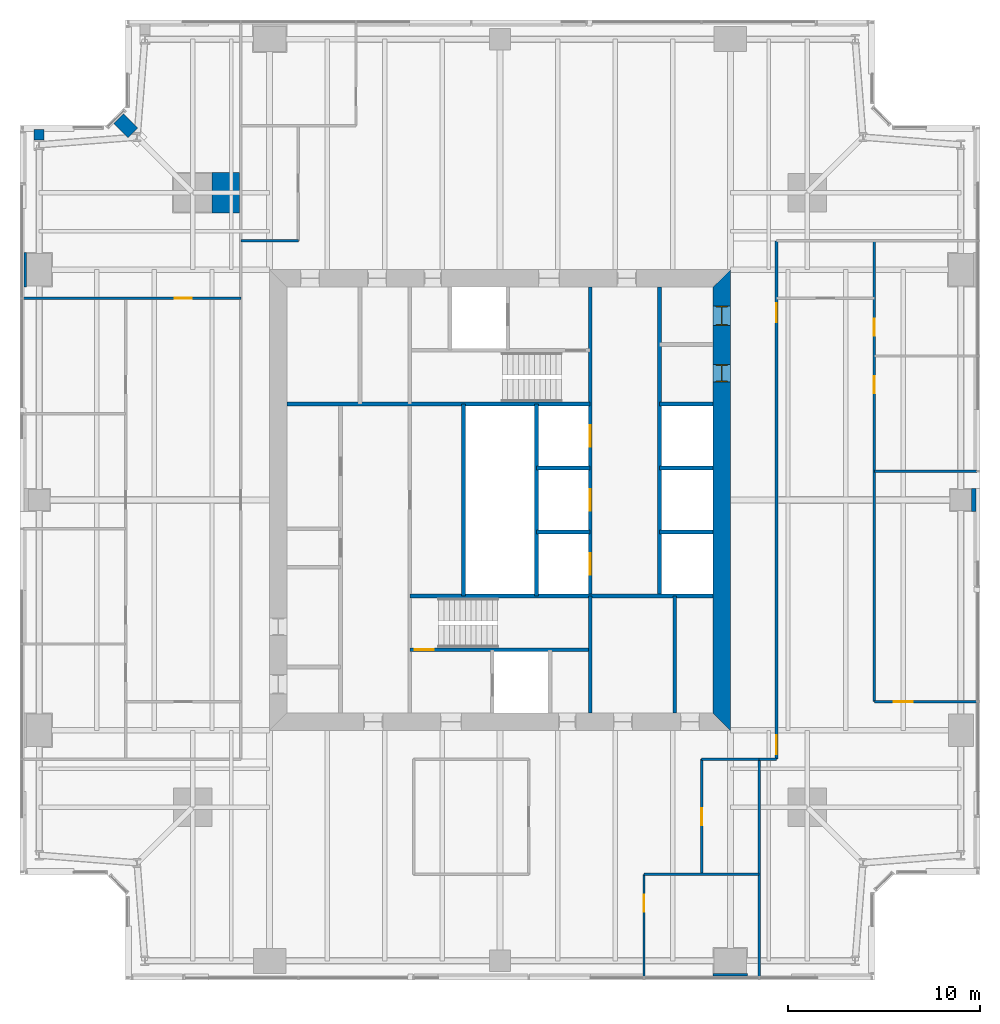
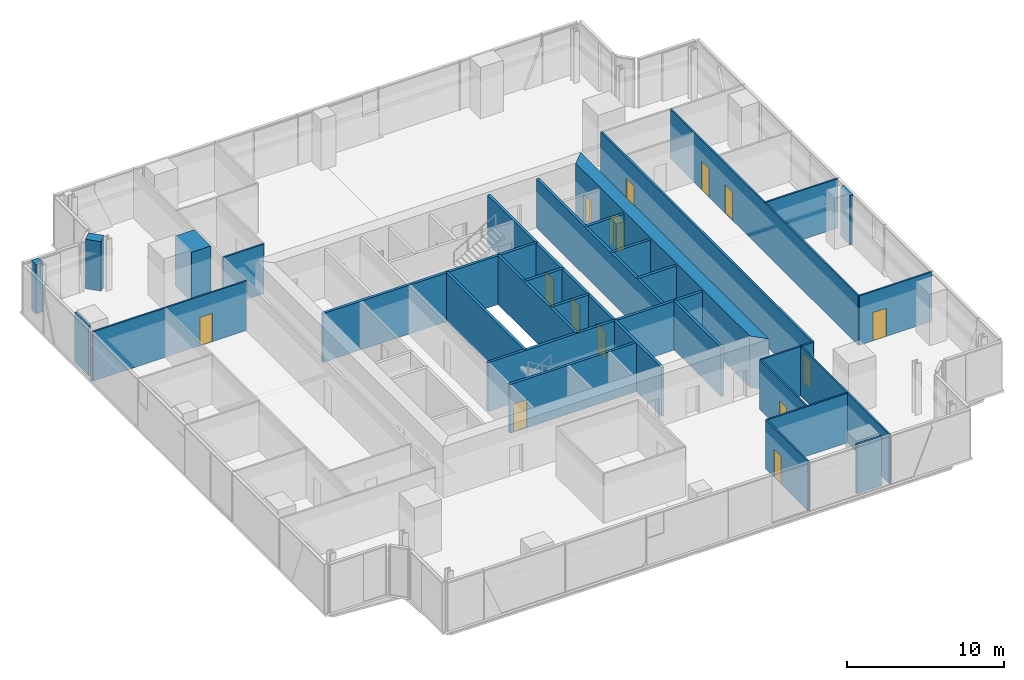
# One storey, part 10 of 16: 33 walls, 14 doors, 14 openings.
"""IFC4 building model written with IfcOpenShell, lengths in metres."""

from ifc_helpers import new_model, si_unit, direction, frame, frame_2d, origin, place, context, subcontext, project, spatial, polyline, rectangle, outline, extrude, material, layer, layer_set, type_object, element, fill, save


model = new_model("IFC4")

# Units and contexts
model_context = context("Model", 3, precision=1e-05, world=origin(), true_north=direction((0.0, 1.0)))
body_context = subcontext(model_context, "Body", "Model", "MODEL_VIEW")
ifc_project = project(units=[si_unit("LENGTHUNIT", "METRE"), si_unit("AREAUNIT", "SQUARE_METRE"), si_unit("VOLUMEUNIT", "CUBIC_METRE"), si_unit("PLANEANGLEUNIT", "RADIAN"), si_unit("MASSUNIT", "GRAM", prefix="KILO")], contexts=[model_context])

# Site, building, storey
site_placement = place(None, origin())
site = spatial("IfcSite", under=ifc_project, at=site_placement, CompositionType="ELEMENT")
building_placement = place(site_placement, origin())
building = spatial("IfcBuilding", under=site, at=building_placement, Name="Fenwick Lantern Interchange", CompositionType="ELEMENT")
storey_placement = place(building_placement, frame((0.0, 0.0, 213.800048828125)))
storey = spatial("IfcBuildingStorey", under=building, at=storey_placement, Name="L50", CompositionType="ELEMENT", Elevation=213.800048828125)

# Walls
ifc_material_1 = material(Name="Fire-rated gypsum board encasement on steel studs, 2 hour", Category="steel")
ifc_layer_1 = layer(ifc_material_1, 1.199951171875)
ifc_layer_set_1 = layer_set([ifc_layer_1], Name="COLUMN PIER 1200")
wall_type_1 = type_object("IfcWallType", Name="COLUMN PIER 1200", PredefinedType="PARTITIONING", material=ifc_layer_set_1)
wall_1_placement = place(storey_placement, frame((49.800048828125, 25.0, 0.0), z_axis=(0.0, 0.0, 1.0), x_axis=(-1.0, 0.0, 0.0)))
element("IfcWall", 1, at=wall_1_placement, inside=storey, type_object=wall_type_1, Name="L50/W/PIER/CE3", PredefinedType="PARTITIONING", context=body_context, shape_type="SweptSolid", body=[
    extrude(rectangle(XDim=0.25, YDim=1.199951171875, at=frame_2d((0.125, 0.0))), origin(), (0.0, 0.0, 1.0), 3.849853515625),
])
ifc_layer_2 = layer(ifc_material_1, 1.800048828125)
ifc_layer_set_2 = layer_set([ifc_layer_2], Name="COLUMN PIER 1800")
wall_type_2 = type_object("IfcWallType", Name="COLUMN PIER 1800", PredefinedType="PARTITIONING", material=ifc_layer_set_2)
for number, where, z_axis, x_axis, name in (
    (2, (37.0, 0.199951171875, 0.0), (0.0, 0.0, 1.0), (0.0, 1.0, 0.0), "L50/W/PIER/CS4"),
    (3, (0.199951171875, 37.0, 0.0), (0.0, 0.0, 1.0), (1.0, 0.0, 0.0), "L50/W/PIER/CW2"),
):
    element("IfcWall", number, at=place(storey_placement, frame(where, z_axis=z_axis, x_axis=x_axis)), inside=storey, type_object=wall_type_2, Name=name, PredefinedType="PARTITIONING", context=body_context, shape_type="SweptSolid", body=[
        extrude(rectangle(XDim=0.150146484375, YDim=1.800048828125, at=frame_2d((0.0751953125, 0.0))), origin(), (0.0, 0.0, 1.0), 3.849853515625),
    ])
ifc_layer_3 = layer(ifc_material_1, 2.10009765625)
ifc_layer_set_3 = layer_set([ifc_layer_3], Name="COLUMN PIER 2100")
wall_type_3 = type_object("IfcWallType", Name="COLUMN PIER 2100", PredefinedType="PARTITIONING", material=ifc_layer_set_3)
wall_2_placement = place(storey_placement, frame((11.4375, 41.0, 0.0), z_axis=(0.0, 0.0, 1.0), x_axis=(-1.0, 0.0, 0.0)))
element("IfcWall", 4, at=wall_2_placement, inside=storey, type_object=wall_type_3, Name="L50/W/PIER/M4", PredefinedType="PARTITIONING", context=body_context, shape_type="SweptSolid", body=[
    extrude(rectangle(XDim=1.4375, YDim=2.10009765625, at=frame_2d((0.71875, 0.0))), origin(), (0.0, 0.0, 1.0), 3.849853515625),
])
ifc_layer_4 = layer(ifc_material_1, 0.52392578125)
ifc_layer_set_4 = layer_set([ifc_layer_4], Name="COLUMN PIER 524")
wall_type_4 = type_object("IfcWallType", Name="COLUMN PIER 524", PredefinedType="PARTITIONING", material=ifc_layer_set_4)
wall_3_placement = place(storey_placement, frame((1.0, 44.300048828125, 0.0), z_axis=(0.0, 0.0, 1.0), x_axis=(0.0, -1.0, 0.0)))
element("IfcWall", 5, at=wall_3_placement, inside=storey, type_object=wall_type_4, Name="L50/W/PIER/CW1", PredefinedType="PARTITIONING", context=body_context, shape_type="SweptSolid", body=[
    extrude(rectangle(XDim=0.5625, YDim=0.52392578125, at=frame_2d((0.28125, 0.0))), origin(), (0.0, 0.0, 1.0), 3.849853515625),
])
ifc_layer_5 = layer(ifc_material_1, 0.736083984375)
ifc_layer_set_5 = layer_set([ifc_layer_5], Name="COLUMN PIER 736")
wall_type_5 = type_object("IfcWallType", Name="COLUMN PIER 736", PredefinedType="PARTITIONING", material=ifc_layer_set_5)
wall_4_placement = place(storey_placement, frame((5.141357421875, 44.858642578125, 0.0), z_axis=(0.0, 0.0, 1.0), x_axis=(0.707106781187, -0.707106781187, 0.0)))
element("IfcWall", 6, at=wall_4_placement, inside=storey, type_object=wall_type_5, Name="L50/W/PIER/CNR", PredefinedType="PARTITIONING", context=body_context, shape_type="SweptSolid", body=[
    extrude(rectangle(XDim=1.037841796875, YDim=0.736083984375, at=frame_2d((0.51904296875, 0.0))), origin(), (0.0, 0.0, 1.0), 3.849853515625),
])
ifc_material_2 = material(Name="Concrete masonry ASTM C90 Grade N", Category="masonry")
ifc_layer_6 = layer(ifc_material_2, 0.199951171875)
ifc_layer_set_6 = layer_set([ifc_layer_6], Name="Concrete masonry ASTM C90 Grade N")
wall_type_6 = type_object("IfcWallType", Name="CORE PARTITION 200", PredefinedType="PARTITIONING", material=ifc_layer_set_6)
wall_5_placement = place(storey_placement, frame((23.10009765625, 20.0, 0.0), z_axis=(0.0, 0.0, 1.0), x_axis=(0.0, 1.0, 0.0)))
element("IfcWall", 7, at=wall_5_placement, inside=storey, type_object=wall_type_6, Name="L50/W/CORES/e3", PredefinedType="PARTITIONING", context=body_context, shape_type="SweptSolid", body=[
    extrude(rectangle(XDim=10.0, YDim=0.199951171875, at=frame_2d((5.0, 0.0))), origin(), (0.0, 0.0, 1.0), 3.800048828125),
])
wall_6_placement = place(storey_placement, frame((34.10009765625, 13.89990234375, 0.0), z_axis=(0.0, 0.0, 1.0), x_axis=(0.0, 1.0, 0.0)))
element("IfcWall", 8, at=wall_6_placement, inside=storey, type_object=wall_type_6, Name="L50/W/CORES/i2", PredefinedType="PARTITIONING", context=body_context, shape_type="SweptSolid", body=[
    extrude(rectangle(XDim=6.10009765625, YDim=0.199951171875, at=frame_2d((3.050048828125, 0.0))), origin(), (0.0, 0.0, 1.0), 3.800048828125),
])
wall_7_placement = place(storey_placement, frame((33.300048828125, 36.10009765625, 0.0), z_axis=(0.0, 0.0, 1.0), x_axis=(0.0, -1.0, 0.0)))
element("IfcWall", 9, at=wall_7_placement, inside=storey, type_object=wall_type_6, Name="L50/W/COREN/a", PredefinedType="PARTITIONING", context=body_context, shape_type="SweptSolid", body=[
    extrude(rectangle(XDim=16.10009765625, YDim=0.199951171875, at=frame_2d((8.050048828125, 0.0))), origin(), (0.0, 0.0, 1.0), 3.800048828125),
])
for number, where, z_axis, x_axis, name in (
    (10, (36.10009765625, 30.0, 0.0), (0.0, 0.0, 1.0), (-1.0, 0.0, 0.0), "L50/W/COREN/c2"),
    (11, (36.10009765625, 26.666748046875, 0.0), (0.0, 0.0, 1.0), (-1.0, 0.0, 0.0), "L50/W/COREN/d1"),
    (12, (36.10009765625, 23.333251953125, 0.0), (0.0, 0.0, 1.0), (-1.0, 0.0, 0.0), "L50/W/COREN/d2"),
    (13, (29.699951171875, 26.666748046875, 0.0), (0.0, 0.0, 1.0), (-1.0, 0.0, 0.0), "L50/W/COREN/e1"),
    (14, (29.699951171875, 23.333251953125, 0.0), (0.0, 0.0, 1.0), (-1.0, 0.0, 0.0), "L50/W/COREN/e2"),
):
    element("IfcWall", number, at=place(storey_placement, frame(where, z_axis=z_axis, x_axis=x_axis)), inside=storey, type_object=wall_type_6, Name=name, PredefinedType="PARTITIONING", context=body_context, shape_type="SweptSolid", body=[
        extrude(rectangle(XDim=2.800048828125, YDim=0.199951171875, at=frame_2d((1.39990234375, 0.0))), origin(), (0.0, 0.0, 1.0), 3.800048828125),
    ])
wall_8_placement = place(storey_placement, frame((26.89990234375, 30.0, 0.0), z_axis=(0.0, 0.0, 1.0), x_axis=(0.0, -1.0, 0.0)))
element("IfcWall", 15, at=wall_8_placement, inside=storey, type_object=wall_type_6, Name="L50/W/COREN/e3", PredefinedType="PARTITIONING", context=body_context, shape_type="SweptSolid", body=[
    extrude(rectangle(XDim=10.0, YDim=0.199951171875, at=frame_2d((5.0, 0.0))), origin(), (0.0, 0.0, 1.0), 3.800048828125),
])

# Wall, openings, doors
ifc_material_3 = material(Name="Concrete f'c 70 MPa", Category="concrete")
ifc_layer_7 = layer(ifc_material_3, 0.89990234375)
ifc_layer_set_7 = layer_set([ifc_layer_7], Name="CORE WALL 900")
wall_type_7 = type_object("IfcWallType", Name="CORE WALL 900", PredefinedType="SHEAR", material=ifc_layer_set_7)
wall_9_placement = place(storey_placement, frame((36.550048828125, 13.89990234375, 0.0), z_axis=(0.0, 0.0, 1.0), x_axis=(0.0, 1.0, 0.0)))
wall_9 = element("IfcWall", 16, at=wall_9_placement, inside=storey, type_object=wall_type_7, Name="L50/CORE/E", PredefinedType="SHEAR", context=body_context, shape_type="SweptSolid", body=[
    extrude(outline(polyline([(-0.89990234375, -0.449951171875), (23.10009765625, -0.449951171875), (22.199951171875, 0.449951171875), (0.0, 0.449951171875), (-0.89990234375, -0.449951171875)])), origin(), (0.0, 0.0, 1.0), 4.0),
])
opening_1_placement = place(wall_9_placement, frame((20.199951171875, 0.0, 0.0)))
opening_1 = element("IfcOpeningElement", 17, at=opening_1_placement, cuts=wall_9, Name="Opening L50-D018", PredefinedType="OPENING", context=body_context, shape_type="SweptSolid", body=[
    extrude(rectangle(XDim=1.0, YDim=2.199951171875, at=frame_2d((0.5, 1.10009765625))), frame((0.0, 0.4599609375, 0.0), z_axis=(0.0, -1.0, 0.0), x_axis=(1.0, 0.0, 0.0)), (0.0, 0.0, 1.0), 0.919921875),
])
opening_2_placement = place(wall_9_placement, frame((17.25, 0.0, 0.0)))
opening_2 = element("IfcOpeningElement", 18, at=opening_2_placement, cuts=wall_9, Name="Opening L50-D019", PredefinedType="OPENING", context=body_context, shape_type="SweptSolid", body=[
    extrude(rectangle(XDim=0.89990234375, YDim=2.199951171875, at=frame_2d((0.449951171875, 1.10009765625))), frame((0.0, 0.4599609375, 0.0), z_axis=(0.0, -1.0, 0.0), x_axis=(1.0, 0.0, 0.0)), (0.0, 0.0, 1.0), 0.919921875),
])
ifc_material_4 = material(Name="Steel door and frame", Category="steel")
door_type_1 = type_object("IfcDoorType", Name="SERVICE DOOR 900 X 2200", OperationType="SINGLE_SWING_LEFT", PredefinedType="DOOR", material=ifc_material_4)
door_1_placement = place(opening_2_placement, origin())
door_1 = element("IfcDoor", 19, at=door_1_placement, inside=storey, type_object=door_type_1, Name="Service door", OperationType="SINGLE_SWING_RIGHT", OverallHeight=2.199951171875, OverallWidth=0.89990234375, PredefinedType="DOOR", context=body_context, shape_type="SweptSolid", body=[
    extrude(rectangle(XDim=0.89990234375, YDim=2.199951171875, at=frame_2d((0.449951171875, 1.10009765625))), frame((0.0, 0.02490234375, 0.0), z_axis=(0.0, -1.0, 0.0), x_axis=(1.0, 0.0, 0.0)), (0.0, 0.0, 1.0), 0.050048828125),
    extrude(outline(polyline([(0.0, 0.0), (0.0400390625, 0.0), (0.0400390625, 2.159912109375), (0.85986328125, 2.159912109375), (0.85986328125, 0.0), (0.89990234375, 0.0), (0.89990234375, 2.199951171875), (0.0, 2.199951171875), (0.0, 0.0)])), frame((0.0, 0.300048828125, 0.0), z_axis=(0.0, -1.0, 0.0), x_axis=(1.0, 0.0, 0.0)), (0.0, 0.0, 1.0), 0.60009765625),
])
fill(opening_2, door_1)
ifc_material_5 = material(Name="Hardwood door and steel frame", Category="steel")
door_type_2 = type_object("IfcDoorType", Name="WC DOOR 1000 X 2200", OperationType="SINGLE_SWING_LEFT", PredefinedType="DOOR", material=ifc_material_5)
door_2_placement = place(opening_1_placement, origin())
door_2 = element("IfcDoor", 20, at=door_2_placement, inside=storey, type_object=door_type_2, Name="Wc door", OperationType="SINGLE_SWING_LEFT", OverallHeight=2.199951171875, OverallWidth=1.0, PredefinedType="DOOR", context=body_context, shape_type="SweptSolid", body=[
    extrude(rectangle(XDim=1.0, YDim=2.199951171875, at=frame_2d((0.5, 1.10009765625))), frame((0.0, 0.02490234375, 0.0), z_axis=(0.0, -1.0, 0.0), x_axis=(1.0, 0.0, 0.0)), (0.0, 0.0, 1.0), 0.050048828125),
    extrude(outline(polyline([(0.0, 0.0), (0.0400390625, 0.0), (0.0400390625, 2.159912109375), (0.9599609375, 2.159912109375), (0.9599609375, 0.0), (1.0, 0.0), (1.0, 2.199951171875), (0.0, 2.199951171875), (0.0, 0.0)])), frame((0.0, 0.300048828125, 0.0), z_axis=(0.0, -1.0, 0.0), x_axis=(1.0, 0.0, 0.0)), (0.0, 0.0, 1.0), 0.60009765625),
])
fill(opening_1, door_2)

# Wall
ifc_material_6 = material(Name="Gypsum board on steel studs, 1 hour", Category="steel")
ifc_layer_8 = layer(ifc_material_6, 0.14990234375)
ifc_layer_set_8 = layer_set([ifc_layer_8], Name="CORRIDOR WALL 150")
wall_type_8 = type_object("IfcWallType", Name="CORRIDOR WALL 150", PredefinedType="PARTITIONING", material=ifc_layer_set_8)
wall_10_placement = place(storey_placement, frame((38.5, 11.5, 0.0), z_axis=(0.0, 0.0, 1.0), x_axis=(1.0, 0.0, 0.0)))
element("IfcWall", 21, at=wall_10_placement, inside=storey, type_object=wall_type_8, Name="L50/W/OFF/E/CWJ", PredefinedType="PARTITIONING", context=body_context, shape_type="SweptSolid", body=[
    extrude(rectangle(XDim=0.89990234375, YDim=0.14990234375, at=frame_2d((0.449951171875, 0.0))), origin(), (0.0, 0.0, 1.0), 3.849853515625),
])

# Wall, openings, doors
wall_11_placement = place(storey_placement, frame((39.39990234375, 11.5, 0.0), z_axis=(0.0, 0.0, 1.0), x_axis=(0.0, 1.0, 0.0)))
wall_11 = element("IfcWall", 22, at=wall_11_placement, inside=storey, type_object=wall_type_8, Name="L50/W/OFF/E/CW2", PredefinedType="PARTITIONING", context=body_context, shape_type="SweptSolid", body=[
    extrude(rectangle(XDim=27.0, YDim=0.14990234375, at=frame_2d((13.5, 0.0))), origin(), (0.0, 0.0, 1.0), 3.849853515625),
])
opening_3_placement = place(wall_11_placement, frame((0.25, 0.0, 0.0)))
opening_3 = element("IfcOpeningElement", 23, at=opening_3_placement, cuts=wall_11, Name="Opening L50-D023", PredefinedType="OPENING", context=body_context, shape_type="SweptSolid", body=[
    extrude(rectangle(XDim=1.0, YDim=2.199951171875, at=frame_2d((0.5, 1.10009765625))), frame((0.0, 0.0849609375, 0.0), z_axis=(0.0, -1.0, 0.0), x_axis=(1.0, 0.0, 0.0)), (0.0, 0.0, 1.0), 0.169921875),
])
opening_4_placement = place(wall_11_placement, frame((22.75, 0.0, 0.0)))
opening_4 = element("IfcOpeningElement", 24, at=opening_4_placement, cuts=wall_11, Name="Opening L50-D024", PredefinedType="OPENING", context=body_context, shape_type="SweptSolid", body=[
    extrude(rectangle(XDim=1.0, YDim=2.199951171875, at=frame_2d((0.5, 1.10009765625))), frame((0.0, 0.0849609375, 0.0), z_axis=(0.0, -1.0, 0.0), x_axis=(1.0, 0.0, 0.0)), (0.0, 0.0, 1.0), 0.169921875),
])
door_type_3 = type_object("IfcDoorType", Name="SUITE ENTRANCE DOOR 1000 X 2200", OperationType="SINGLE_SWING_LEFT", PredefinedType="DOOR", material=ifc_material_4)
door_3_placement = place(opening_3_placement, origin())
door_3 = element("IfcDoor", 25, at=door_3_placement, inside=storey, type_object=door_type_3, Name="Suite entrance door", OperationType="SINGLE_SWING_LEFT", OverallHeight=2.199951171875, OverallWidth=1.0, PredefinedType="DOOR", context=body_context, shape_type="SweptSolid", body=[
    extrude(rectangle(XDim=1.0, YDim=2.199951171875, at=frame_2d((0.5, 1.10009765625))), frame((0.0, 0.02490234375, 0.0), z_axis=(0.0, -1.0, 0.0), x_axis=(1.0, 0.0, 0.0)), (0.0, 0.0, 1.0), 0.050048828125),
])
fill(opening_3, door_3)
door_4_placement = place(opening_4_placement, origin())
door_4 = element("IfcDoor", 26, at=door_4_placement, inside=storey, type_object=door_type_3, Name="Suite entrance door", OperationType="SINGLE_SWING_RIGHT", OverallHeight=2.199951171875, OverallWidth=1.0, PredefinedType="DOOR", context=body_context, shape_type="SweptSolid", body=[
    extrude(rectangle(XDim=1.0, YDim=2.199951171875, at=frame_2d((0.5, 1.10009765625))), frame((0.0, 0.02490234375, 0.0), z_axis=(0.0, -1.0, 0.0), x_axis=(1.0, 0.0, 0.0)), (0.0, 0.0, 1.0), 0.050048828125),
])
fill(opening_4, door_4)

# Wall, opening, door
ifc_material_7 = material(Name="Gypsum board on steel studs, acoustic", Category="steel")
ifc_layer_9 = layer(ifc_material_7, 0.125)
ifc_layer_set_9 = layer_set([ifc_layer_9], Name="OFFICE PARTITION 125")
wall_type_9 = type_object("IfcWallType", Name="OFFICE PARTITION 125", PredefinedType="PARTITIONING", material=ifc_layer_set_9)
wall_12_placement = place(storey_placement, frame((32.5, 0.14990234375, 0.0), z_axis=(0.0, 0.0, 1.0), x_axis=(0.0, 1.0, 0.0)))
wall_12 = element("IfcWall", 27, at=wall_12_placement, inside=storey, type_object=wall_type_9, Name="L50/W/OFF/S/X325-1", PredefinedType="PARTITIONING", context=body_context, shape_type="SweptSolid", body=[
    extrude(rectangle(XDim=5.35009765625, YDim=0.125, at=frame_2d((2.675048828125, 0.0))), origin(), (0.0, 0.0, 1.0), 3.849853515625),
])
opening_5_placement = place(wall_12_placement, frame((3.39990234375, 0.0, 0.0)))
opening_5 = element("IfcOpeningElement", 28, at=opening_5_placement, cuts=wall_12, Name="Opening L50-D021", PredefinedType="OPENING", context=body_context, shape_type="SweptSolid", body=[
    extrude(rectangle(XDim=0.89990234375, YDim=2.199951171875, at=frame_2d((0.449951171875, 1.10009765625))), frame((0.0, 0.072509765625, 0.0), z_axis=(0.0, -1.0, 0.0), x_axis=(1.0, 0.0, 0.0)), (0.0, 0.0, 1.0), 0.14501953125),
])
door_type_4 = type_object("IfcDoorType", Name="OFFICE DOOR 900 X 2200", OperationType="SINGLE_SWING_LEFT", PredefinedType="DOOR", material=ifc_material_5)
door_5_placement = place(opening_5_placement, frame((0.89990234375, 0.0, 0.0), z_axis=(0.0, 0.0, 1.0), x_axis=(-1.0, 0.0, 0.0)))
door_5 = element("IfcDoor", 29, at=door_5_placement, inside=storey, type_object=door_type_4, Name="Office door", OperationType="SINGLE_SWING_LEFT", OverallHeight=2.199951171875, OverallWidth=0.89990234375, PredefinedType="DOOR", context=body_context, shape_type="SweptSolid", body=[
    extrude(rectangle(XDim=0.89990234375, YDim=2.199951171875, at=frame_2d((0.449951171875, 1.10009765625))), frame((0.0, 0.02490234375, 0.0), z_axis=(0.0, -1.0, 0.0), x_axis=(1.0, 0.0, 0.0)), (0.0, 0.0, 1.0), 0.050048828125),
])
fill(opening_5, door_5)

wall_13_placement = place(storey_placement, frame((35.5, 5.5, 0.0), z_axis=(0.0, 0.0, 1.0), x_axis=(0.0, 1.0, 0.0)))
wall_13 = element("IfcWall", 30, at=wall_13_placement, inside=storey, type_object=wall_type_9, Name="L50/W/OFF/S/X355-1", PredefinedType="PARTITIONING", context=body_context, shape_type="SweptSolid", body=[
    extrude(rectangle(XDim=6.0, YDim=0.125, at=frame_2d((3.0, 0.0))), origin(), (0.0, 0.0, 1.0), 3.849853515625),
])
opening_6_placement = place(wall_13_placement, frame((2.550048828125, 0.0, 0.0)))
opening_6 = element("IfcOpeningElement", 31, at=opening_6_placement, cuts=wall_13, Name="Opening L50-D022", PredefinedType="OPENING", context=body_context, shape_type="SweptSolid", body=[
    extrude(rectangle(XDim=0.89990234375, YDim=2.199951171875, at=frame_2d((0.449951171875, 1.10009765625))), frame((0.0, 0.072509765625, 0.0), z_axis=(0.0, -1.0, 0.0), x_axis=(1.0, 0.0, 0.0)), (0.0, 0.0, 1.0), 0.14501953125),
])
door_6_placement = place(opening_6_placement, frame((0.89990234375, 0.0, 0.0), z_axis=(0.0, 0.0, 1.0), x_axis=(-1.0, 0.0, 0.0)))
door_6 = element("IfcDoor", 32, at=door_6_placement, inside=storey, type_object=door_type_4, Name="Office door", OperationType="SINGLE_SWING_RIGHT", OverallHeight=2.199951171875, OverallWidth=0.89990234375, PredefinedType="DOOR", context=body_context, shape_type="SweptSolid", body=[
    extrude(rectangle(XDim=0.89990234375, YDim=2.199951171875, at=frame_2d((0.449951171875, 1.10009765625))), frame((0.0, 0.02490234375, 0.0), z_axis=(0.0, -1.0, 0.0), x_axis=(1.0, 0.0, 0.0)), (0.0, 0.0, 1.0), 0.050048828125),
])
fill(opening_6, door_6)

# Walls
wall_14_placement = place(storey_placement, frame((32.5, 5.5, 0.0), z_axis=(0.0, 0.0, 1.0), x_axis=(1.0, 0.0, 0.0)))
element("IfcWall", 33, at=wall_14_placement, inside=storey, type_object=wall_type_9, Name="L50/W/OFF/S/Y55-2", PredefinedType="PARTITIONING", context=body_context, shape_type="SweptSolid", body=[
    extrude(rectangle(XDim=6.0, YDim=0.125, at=frame_2d((3.0, 0.0))), origin(), (0.0, 0.0, 1.0), 3.849853515625),
])
wall_15_placement = place(storey_placement, frame((35.5, 11.5, 0.0), z_axis=(0.0, 0.0, 1.0), x_axis=(1.0, 0.0, 0.0)))
element("IfcWall", 34, at=wall_15_placement, inside=storey, type_object=wall_type_9, Name="L50/W/OFF/S/CWS2", PredefinedType="PARTITIONING", context=body_context, shape_type="SweptSolid", body=[
    extrude(rectangle(XDim=3.0, YDim=0.125, at=frame_2d((1.5, 0.0))), origin(), (0.0, 0.0, 1.0), 3.849853515625),
])
wall_16_placement = place(storey_placement, frame((38.5, 0.14990234375, 0.0), z_axis=(0.0, 0.0, 1.0), x_axis=(0.0, 1.0, 0.0)))
element("IfcWall", 35, at=wall_16_placement, inside=storey, type_object=wall_type_9, Name="L50/W/OFF/E/BACK", PredefinedType="PARTITIONING", context=body_context, shape_type="SweptSolid", body=[
    extrude(rectangle(XDim=11.35009765625, YDim=0.125, at=frame_2d((5.675048828125, 0.0))), origin(), (0.0, 0.0, 1.0), 3.849853515625),
])

# Wall, opening, door
wall_17_placement = place(storey_placement, frame((49.85009765625, 14.5, 0.0), z_axis=(0.0, 0.0, 1.0), x_axis=(-1.0, 0.0, 0.0)))
wall_17 = element("IfcWall", 36, at=wall_17_placement, inside=storey, type_object=wall_type_9, Name="L50/W/OFF/E/X145-1", PredefinedType="PARTITIONING", context=body_context, shape_type="SweptSolid", body=[
    extrude(rectangle(XDim=5.35009765625, YDim=0.125, at=frame_2d((2.675048828125, 0.0))), origin(), (0.0, 0.0, 1.0), 3.849853515625),
])
opening_7_placement = place(wall_17_placement, frame((3.35009765625, 0.0, 0.0)))
opening_7 = element("IfcOpeningElement", 37, at=opening_7_placement, cuts=wall_17, Name="Opening L50-D025", PredefinedType="OPENING", context=body_context, shape_type="SweptSolid", body=[
    extrude(rectangle(XDim=1.0, YDim=2.199951171875, at=frame_2d((0.5, 1.10009765625))), frame((0.0, 0.072509765625, 0.0), z_axis=(0.0, -1.0, 0.0), x_axis=(1.0, 0.0, 0.0)), (0.0, 0.0, 1.0), 0.14501953125),
])
door_type_5 = type_object("IfcDoorType", Name="MEETING ROOM DOOR 1000 X 2200", OperationType="SINGLE_SWING_LEFT", PredefinedType="DOOR", material=ifc_material_5)
door_7_placement = place(opening_7_placement, frame((1.0, 0.0, 0.0), z_axis=(0.0, 0.0, 1.0), x_axis=(-1.0, 0.0, 0.0)))
door_7 = element("IfcDoor", 38, at=door_7_placement, inside=storey, type_object=door_type_5, Name="Meeting room door", OperationType="SINGLE_SWING_LEFT", OverallHeight=2.199951171875, OverallWidth=1.0, PredefinedType="DOOR", context=body_context, shape_type="SweptSolid", body=[
    extrude(rectangle(XDim=1.0, YDim=2.199951171875, at=frame_2d((0.5, 1.10009765625))), frame((0.0, 0.02490234375, 0.0), z_axis=(0.0, -1.0, 0.0), x_axis=(1.0, 0.0, 0.0)), (0.0, 0.0, 1.0), 0.050048828125),
])
fill(opening_7, door_7)

# Wall
wall_18_placement = place(storey_placement, frame((49.85009765625, 26.5, 0.0), z_axis=(0.0, 0.0, 1.0), x_axis=(-1.0, 0.0, 0.0)))
element("IfcWall", 39, at=wall_18_placement, inside=storey, type_object=wall_type_9, Name="L50/W/OFF/E/X265-1", PredefinedType="PARTITIONING", context=body_context, shape_type="SweptSolid", body=[
    extrude(rectangle(XDim=5.35009765625, YDim=0.125, at=frame_2d((2.675048828125, 0.0))), origin(), (0.0, 0.0, 1.0), 3.849853515625),
])

# Wall, openings, doors
wall_19_placement = place(storey_placement, frame((44.5, 14.5, 0.0), z_axis=(0.0, 0.0, 1.0), x_axis=(0.0, 1.0, 0.0)))
wall_19 = element("IfcWall", 40, at=wall_19_placement, inside=storey, type_object=wall_type_9, Name="L50/W/OFF/E/Y55-1", PredefinedType="PARTITIONING", context=body_context, shape_type="SweptSolid", body=[
    extrude(rectangle(XDim=24.0, YDim=0.125, at=frame_2d((12.0, 0.0))), origin(), (0.0, 0.0, 1.0), 3.849853515625),
])
opening_8_placement = place(wall_19_placement, frame((16.050048828125, 0.0, 0.0)))
opening_8 = element("IfcOpeningElement", 41, at=opening_8_placement, cuts=wall_19, Name="Opening L50-D026", PredefinedType="OPENING", context=body_context, shape_type="SweptSolid", body=[
    extrude(rectangle(XDim=0.89990234375, YDim=2.199951171875, at=frame_2d((0.449951171875, 1.10009765625))), frame((0.0, 0.072509765625, 0.0), z_axis=(0.0, -1.0, 0.0), x_axis=(1.0, 0.0, 0.0)), (0.0, 0.0, 1.0), 0.14501953125),
])
opening_9_placement = place(wall_19_placement, frame((19.050048828125, 0.0, 0.0)))
opening_9 = element("IfcOpeningElement", 42, at=opening_9_placement, cuts=wall_19, Name="Opening L50-D027", PredefinedType="OPENING", context=body_context, shape_type="SweptSolid", body=[
    extrude(rectangle(XDim=0.89990234375, YDim=2.199951171875, at=frame_2d((0.449951171875, 1.10009765625))), frame((0.0, 0.072509765625, 0.0), z_axis=(0.0, -1.0, 0.0), x_axis=(1.0, 0.0, 0.0)), (0.0, 0.0, 1.0), 0.14501953125),
])
door_8_placement = place(opening_8_placement, frame((0.89990234375, 0.0, 0.0), z_axis=(0.0, 0.0, 1.0), x_axis=(-1.0, 0.0, 0.0)))
door_8 = element("IfcDoor", 43, at=door_8_placement, inside=storey, type_object=door_type_4, Name="Office door", OperationType="SINGLE_SWING_LEFT", OverallHeight=2.199951171875, OverallWidth=0.89990234375, PredefinedType="DOOR", context=body_context, shape_type="SweptSolid", body=[
    extrude(rectangle(XDim=0.89990234375, YDim=2.199951171875, at=frame_2d((0.449951171875, 1.10009765625))), frame((0.0, 0.02490234375, 0.0), z_axis=(0.0, -1.0, 0.0), x_axis=(1.0, 0.0, 0.0)), (0.0, 0.0, 1.0), 0.050048828125),
])
fill(opening_8, door_8)
door_9_placement = place(opening_9_placement, frame((0.89990234375, 0.0, 0.0), z_axis=(0.0, 0.0, 1.0), x_axis=(-1.0, 0.0, 0.0)))
door_9 = element("IfcDoor", 44, at=door_9_placement, inside=storey, type_object=door_type_4, Name="Office door", OperationType="SINGLE_SWING_RIGHT", OverallHeight=2.199951171875, OverallWidth=0.89990234375, PredefinedType="DOOR", context=body_context, shape_type="SweptSolid", body=[
    extrude(rectangle(XDim=0.89990234375, YDim=2.199951171875, at=frame_2d((0.449951171875, 1.10009765625))), frame((0.0, 0.02490234375, 0.0), z_axis=(0.0, -1.0, 0.0), x_axis=(1.0, 0.0, 0.0)), (0.0, 0.0, 1.0), 0.050048828125),
])
fill(opening_9, door_9)

# Wall
wall_20_placement = place(storey_placement, frame((14.5, 38.5, 0.0), z_axis=(0.0, 0.0, 1.0), x_axis=(-1.0, 0.0, 0.0)))
element("IfcWall", 45, at=wall_20_placement, inside=storey, type_object=wall_type_9, Name="L50/W/OFF/N/CWS1", PredefinedType="PARTITIONING", context=body_context, shape_type="SweptSolid", body=[
    extrude(rectangle(XDim=3.0, YDim=0.125, at=frame_2d((1.5, 0.0))), origin(), (0.0, 0.0, 1.0), 3.849853515625),
])

# Wall, opening, door
wall_21_placement = place(storey_placement, frame((0.14990234375, 35.5, 0.0), z_axis=(0.0, 0.0, 1.0), x_axis=(1.0, 0.0, 0.0)))
wall_21 = element("IfcWall", 46, at=wall_21_placement, inside=storey, type_object=wall_type_9, Name="L50/W/OFF/W/X145-1", PredefinedType="PARTITIONING", context=body_context, shape_type="SweptSolid", body=[
    extrude(rectangle(XDim=11.35009765625, YDim=0.125, at=frame_2d((5.675048828125, 0.0))), origin(), (0.0, 0.0, 1.0), 3.849853515625),
])
opening_10_placement = place(wall_21_placement, frame((7.89990234375, 0.0, 0.0)))
opening_10 = element("IfcOpeningElement", 47, at=opening_10_placement, cuts=wall_21, Name="Opening L50-D032", PredefinedType="OPENING", context=body_context, shape_type="SweptSolid", body=[
    extrude(rectangle(XDim=0.89990234375, YDim=2.199951171875, at=frame_2d((0.449951171875, 1.10009765625))), frame((0.0, 0.072509765625, 0.0), z_axis=(0.0, -1.0, 0.0), x_axis=(1.0, 0.0, 0.0)), (0.0, 0.0, 1.0), 0.14501953125),
])
door_10_placement = place(opening_10_placement, origin())
door_10 = element("IfcDoor", 48, at=door_10_placement, inside=storey, type_object=door_type_4, Name="Office door", OperationType="SINGLE_SWING_RIGHT", OverallHeight=2.199951171875, OverallWidth=0.89990234375, PredefinedType="DOOR", context=body_context, shape_type="SweptSolid", body=[
    extrude(rectangle(XDim=0.89990234375, YDim=2.199951171875, at=frame_2d((0.449951171875, 1.10009765625))), frame((0.0, 0.02490234375, 0.0), z_axis=(0.0, -1.0, 0.0), x_axis=(1.0, 0.0, 0.0)), (0.0, 0.0, 1.0), 0.050048828125),
])
fill(opening_10, door_10)

ifc_material_8 = material(Name="Concrete f'c 45 MPa", Category="concrete")
ifc_layer_10 = layer(ifc_material_8, 0.199951171875)
ifc_layer_set_10 = layer_set([ifc_layer_10], Name="STAIR CORE WALL 200")
wall_type_10 = type_object("IfcWallType", Name="STAIR CORE WALL 200", PredefinedType="SOLIDWALL", material=ifc_layer_set_10)
wall_22_placement = place(storey_placement, frame((20.300048828125, 17.199951171875, 0.0), z_axis=(0.0, 0.0, 1.0), x_axis=(1.0, 0.0, 0.0)))
wall_22 = element("IfcWall", 49, at=wall_22_placement, inside=storey, type_object=wall_type_10, Name="L50/W/CORES/g1", PredefinedType="SOLIDWALL", context=body_context, shape_type="SweptSolid", body=[
    extrude(rectangle(XDim=9.39990234375, YDim=0.199951171875, at=frame_2d((4.699951171875, 0.0))), origin(), (0.0, 0.0, 1.0), 3.800048828125),
])
opening_11_placement = place(wall_22_placement, frame((0.25, 0.0, 0.0)))
opening_11 = element("IfcOpeningElement", 50, at=opening_11_placement, cuts=wall_22, Name="Opening L50-D003", PredefinedType="OPENING", context=body_context, shape_type="SweptSolid", body=[
    extrude(rectangle(XDim=1.0, YDim=2.199951171875, at=frame_2d((0.5, 1.10009765625))), frame((0.0, 0.10986328125, 0.0), z_axis=(0.0, -1.0, 0.0), x_axis=(1.0, 0.0, 0.0)), (0.0, 0.0, 1.0), 0.219970703125),
])
door_type_6 = type_object("IfcDoorType", Name="STAIR DOOR 1000 X 2200", OperationType="SINGLE_SWING_LEFT", PredefinedType="DOOR", material=ifc_material_4)
door_11_placement = place(opening_11_placement, origin())
door_11 = element("IfcDoor", 51, at=door_11_placement, inside=storey, type_object=door_type_6, Name="Stair door", OperationType="SINGLE_SWING_LEFT", OverallHeight=2.199951171875, OverallWidth=1.0, PredefinedType="DOOR", context=body_context, shape_type="SweptSolid", body=[
    extrude(rectangle(XDim=1.0, YDim=2.199951171875, at=frame_2d((0.5, 1.10009765625))), frame((0.0, 0.02490234375, 0.0), z_axis=(0.0, -1.0, 0.0), x_axis=(1.0, 0.0, 0.0)), (0.0, 0.0, 1.0), 0.050048828125),
])
fill(opening_11, door_11)

# Walls
wall_23_placement = place(storey_placement, frame((20.300048828125, 20.0, 0.0), z_axis=(0.0, 0.0, 1.0), x_axis=(1.0, 0.0, 0.0)))
element("IfcWall", 52, at=wall_23_placement, inside=storey, type_object=wall_type_10, Name="L50/W/CORES/g2", PredefinedType="SOLIDWALL", context=body_context, shape_type="SweptSolid", body=[
    extrude(rectangle(XDim=15.800048828125, YDim=0.199951171875, at=frame_2d((7.89990234375, 0.0))), origin(), (0.0, 0.0, 1.0), 3.800048828125),
])
wall_24_placement = place(storey_placement, frame((29.699951171875, 13.89990234375, 0.0), z_axis=(0.0, 0.0, 1.0), x_axis=(0.0, 1.0, 0.0)))
element("IfcWall", 53, at=wall_24_placement, inside=storey, type_object=wall_type_10, Name="L50/W/CORES/i1", PredefinedType="SOLIDWALL", context=body_context, shape_type="SweptSolid", body=[
    extrude(rectangle(XDim=6.10009765625, YDim=0.199951171875, at=frame_2d((3.050048828125, 0.0))), origin(), (0.0, 0.0, 1.0), 3.800048828125),
])

# Wall, openings, doors
wall_25_placement = place(storey_placement, frame((29.699951171875, 36.10009765625, 0.0), z_axis=(0.0, 0.0, 1.0), x_axis=(0.0, -1.0, 0.0)))
wall_25 = element("IfcWall", 54, at=wall_25_placement, inside=storey, type_object=wall_type_10, Name="L50/W/COREN/b", PredefinedType="SOLIDWALL", context=body_context, shape_type="SweptSolid", body=[
    extrude(rectangle(XDim=16.10009765625, YDim=0.199951171875, at=frame_2d((8.050048828125, 0.0))), origin(), (0.0, 0.0, 1.0), 3.800048828125),
])
opening_12_placement = place(wall_25_placement, frame((7.216552734375, 0.0, 0.0)))
opening_12 = element("IfcOpeningElement", 55, at=opening_12_placement, cuts=wall_25, Name="Opening LD-E2-1", PredefinedType="OPENING", context=body_context, shape_type="SweptSolid", body=[
    extrude(rectangle(XDim=1.10009765625, YDim=2.199951171875, at=frame_2d((0.550048828125, 1.10009765625))), frame((0.0, 0.10986328125, 0.0), z_axis=(0.0, -1.0, 0.0), x_axis=(1.0, 0.0, 0.0)), (0.0, 0.0, 1.0), 0.219970703125),
])
opening_13_placement = place(wall_25_placement, frame((10.550048828125, 0.0, 0.0)))
opening_13 = element("IfcOpeningElement", 56, at=opening_13_placement, cuts=wall_25, Name="Opening LD-E2-2", PredefinedType="OPENING", context=body_context, shape_type="SweptSolid", body=[
    extrude(rectangle(XDim=1.10009765625, YDim=2.199951171875, at=frame_2d((0.550048828125, 1.10009765625))), frame((0.0, 0.10986328125, 0.0), z_axis=(0.0, -1.0, 0.0), x_axis=(1.0, 0.0, 0.0)), (0.0, 0.0, 1.0), 0.219970703125),
])
opening_14_placement = place(wall_25_placement, frame((13.88330078125, 0.0, 0.0)))
opening_14 = element("IfcOpeningElement", 57, at=opening_14_placement, cuts=wall_25, Name="Opening LD-E2-3", PredefinedType="OPENING", context=body_context, shape_type="SweptSolid", body=[
    extrude(rectangle(XDim=1.10009765625, YDim=2.199951171875, at=frame_2d((0.550048828125, 1.10009765625))), frame((0.0, 0.10986328125, 0.0), z_axis=(0.0, -1.0, 0.0), x_axis=(1.0, 0.0, 0.0)), (0.0, 0.0, 1.0), 0.219970703125),
])
door_type_7 = type_object("IfcDoorType", Name="LIFT LANDING DOOR 1100 X 2200", OperationType="DOUBLE_DOOR_SLIDING", PredefinedType="DOOR", material=ifc_material_4)
door_12_placement = place(opening_12_placement, origin())
door_12 = element("IfcDoor", 58, at=door_12_placement, inside=storey, type_object=door_type_7, Name="Lift landing door E2-1", OperationType="DOUBLE_DOOR_SLIDING", OverallHeight=2.199951171875, OverallWidth=1.10009765625, PredefinedType="DOOR", context=body_context, shape_type="SweptSolid", body=[
    extrude(rectangle(XDim=1.10009765625, YDim=2.199951171875, at=frame_2d((0.550048828125, 1.10009765625))), frame((0.0, 0.02490234375, 0.0), z_axis=(0.0, -1.0, 0.0), x_axis=(1.0, 0.0, 0.0)), (0.0, 0.0, 1.0), 0.050048828125),
])
fill(opening_12, door_12)
door_13_placement = place(opening_13_placement, origin())
door_13 = element("IfcDoor", 59, at=door_13_placement, inside=storey, type_object=door_type_7, Name="Lift landing door E2-2", OperationType="DOUBLE_DOOR_SLIDING", OverallHeight=2.199951171875, OverallWidth=1.10009765625, PredefinedType="DOOR", context=body_context, shape_type="SweptSolid", body=[
    extrude(rectangle(XDim=1.10009765625, YDim=2.199951171875, at=frame_2d((0.550048828125, 1.10009765625))), frame((0.0, 0.02490234375, 0.0), z_axis=(0.0, -1.0, 0.0), x_axis=(1.0, 0.0, 0.0)), (0.0, 0.0, 1.0), 0.050048828125),
])
fill(opening_13, door_13)
door_14_placement = place(opening_14_placement, origin())
door_14 = element("IfcDoor", 60, at=door_14_placement, inside=storey, type_object=door_type_7, Name="Lift landing door E2-3", OperationType="DOUBLE_DOOR_SLIDING", OverallHeight=2.199951171875, OverallWidth=1.10009765625, PredefinedType="DOOR", context=body_context, shape_type="SweptSolid", body=[
    extrude(rectangle(XDim=1.10009765625, YDim=2.199951171875, at=frame_2d((0.550048828125, 1.10009765625))), frame((0.0, 0.02490234375, 0.0), z_axis=(0.0, -1.0, 0.0), x_axis=(1.0, 0.0, 0.0)), (0.0, 0.0, 1.0), 0.050048828125),
])
fill(opening_14, door_14)

# Wall
wall_26_placement = place(storey_placement, frame((29.699951171875, 30.0, 0.0), z_axis=(0.0, 0.0, 1.0), x_axis=(-1.0, 0.0, 0.0)))
element("IfcWall", 61, at=wall_26_placement, inside=storey, type_object=wall_type_10, Name="L50/W/COREN/g2", PredefinedType="SOLIDWALL", context=body_context, shape_type="SweptSolid", body=[
    extrude(rectangle(XDim=15.800048828125, YDim=0.199951171875, at=frame_2d((7.89990234375, 0.0))), origin(), (0.0, 0.0, 1.0), 3.800048828125),
])

save(model, "model.ifc")
